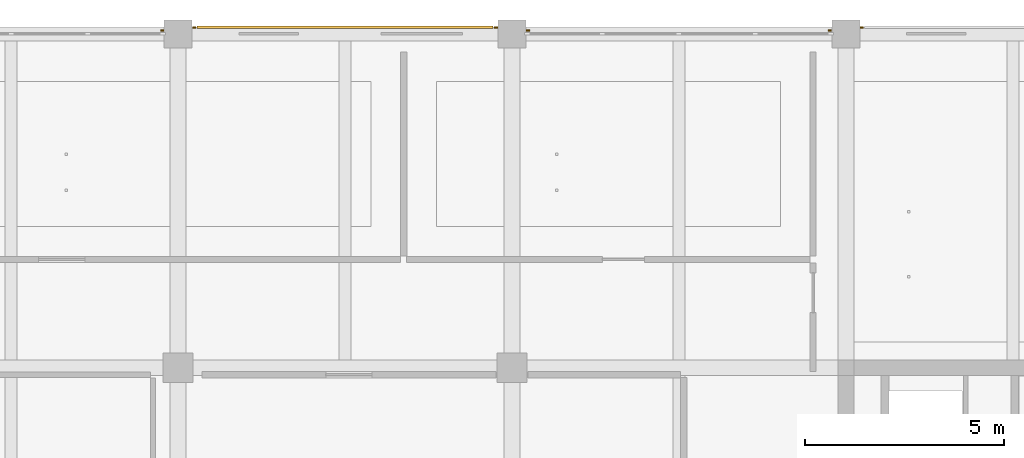
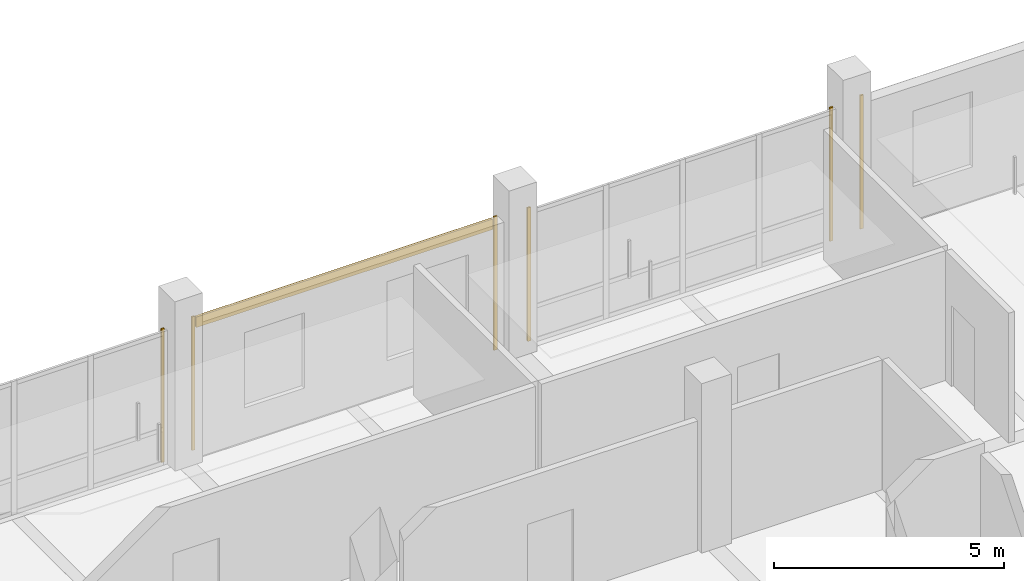
# One storey, part 31 of 32: 7 coverings.
"""IFC4 building model written with IfcOpenShell, lengths in metres."""

import ifcopenshell
import ifcopenshell.guid

model = None  # the IFC model being written
_history = None  # IfcOwnerHistory: only IFC2X3 demands one
_inside = {}  # id of a spatial element -> (the spatial element, [elements in it])
_under = {}  # id of a project, library or spatial element -> (it, [spatial elements below it])
_declared = {}  # id of a project -> (the project, [libraries it declares])
_typed = {}  # id of a type object -> (the type object, [elements of that type])
_made_of = {}  # id of a material, layer set ... -> (it, [elements and type objects made of it])


def new_model(schema):
    """Start an empty IFC model of exactly this schema.

    Asked for "IFC4X3", IfcOpenShell would pick the latest addendum, in which some entities
    have other attributes; the version numbers below select the first issue.
    IFC2X3 requires an IfcOwnerHistory on every rooted entity: one is made here for all.
    """
    global model, _history
    if schema == "IFC4X3":
        model = ifcopenshell.file(schema_version=(4, 3, 0, 0))
    else:
        model = ifcopenshell.file(schema=schema)
    _inside.clear()
    _under.clear()
    _declared.clear()
    _typed.clear()
    _made_of.clear()
    _history = None
    if model.schema == "IFC2X3":
        org = make("IfcOrganization", Name="unknown")
        user = make(
            "IfcPersonAndOrganization",
            ThePerson=make("IfcPerson", FamilyName="unknown"),
            TheOrganization=org,
        )
        app = make(
            "IfcApplication",
            ApplicationDeveloper=org,
            Version="unknown",
            ApplicationFullName="unknown",
            ApplicationIdentifier="unknown",
        )
        _history = make(
            "IfcOwnerHistory",
            OwningUser=user,
            OwningApplication=app,
            ChangeAction="ADDED",
            CreationDate=0,
        )
    return model


def make(cls, **values):
    """One entity of the class cls with the attributes given. An attribute that is None is left unset."""
    return model.create_entity(
        cls, **{name: value for name, value in values.items() if value is not None}
    )


def rooted(cls, **values):
    """An entity with a GlobalId (a new one), such as an element, a storey or a relation."""
    return make(cls, GlobalId=ifcopenshell.guid.new(), OwnerHistory=_history, **values)


def si_unit(unit_type, name, prefix=None):
    """IfcSIUnit, for example si_unit("LENGTHUNIT", "METRE", prefix="MILLI")."""
    return make("IfcSIUnit", UnitType=unit_type, Prefix=prefix, Name=name)


def assignment(units):
    """IfcUnitAssignment: the units of a project."""
    return None if units is None else make("IfcUnitAssignment", Units=units)


def point(xyz):
    """IfcCartesianPoint."""
    return None if xyz is None else make("IfcCartesianPoint", Coordinates=xyz)


def direction(xyz):
    """IfcDirection."""
    return None if xyz is None else make("IfcDirection", DirectionRatios=xyz)


def frame(location, z_axis=None, x_axis=None):
    """IfcAxis2Placement3D, a coordinate frame: its origin and axes. An axis left out is left unset."""
    return make(
        "IfcAxis2Placement3D",
        Location=point(location),
        Axis=direction(z_axis),
        RefDirection=direction(x_axis),
    )


def frame_2d(location, x_axis=None):
    """IfcAxis2Placement2D, a coordinate frame in the plane: its origin and x axis."""
    return make(
        "IfcAxis2Placement2D", Location=point(location), RefDirection=direction(x_axis)
    )


def origin():
    """The frame at (0, 0, 0) with its axes left unset."""
    return frame((0.0, 0.0, 0.0))


def origin_2d():
    """The frame at (0, 0) in the plane with its x axis left unset."""
    return frame_2d((0.0, 0.0))


def place(relative_to, where):
    """IfcLocalPlacement: puts the frame where relative to a parent placement (None: the world)."""
    return make(
        "IfcLocalPlacement", PlacementRelTo=relative_to, RelativePlacement=where
    )


def context(
    kind, dimensions, precision=None, world=None, true_north=None, identifier=None
):
    """IfcGeometricRepresentationContext, for example the 3D "Model" context."""
    return make(
        "IfcGeometricRepresentationContext",
        ContextIdentifier=identifier,
        ContextType=kind,
        CoordinateSpaceDimension=dimensions,
        Precision=precision,
        WorldCoordinateSystem=world,
        TrueNorth=true_north,
    )


def subcontext(parent, identifier, kind, view, scale=None):
    """IfcGeometricRepresentationSubContext, for example "Body" below "Model"."""
    return make(
        "IfcGeometricRepresentationSubContext",
        ContextIdentifier=identifier,
        ContextType=kind,
        ParentContext=parent,
        TargetScale=scale,
        TargetView=view,
    )


def project(units=None, contexts=None):
    """IfcProject with its units and contexts."""
    return rooted(
        "IfcProject",
        Name="project",
        RepresentationContexts=contexts,
        UnitsInContext=assignment(units),
    )


def spatial(cls, under=None, at=None, **own):
    """A site, building, storey or space (cls), placed at a placement, below another one or the project."""
    s = rooted(cls, ObjectPlacement=at, **own)
    if under is not None:
        _under.setdefault(under.id(), (under, []))[1].append(s)
    return s


def profile(cls, at=None, kind="AREA", **sizes):
    """A parametric profile (cls). Its sizes go by their IFC names, for example OverallWidth=200.0."""
    return make(cls, ProfileType=kind, Position=at, **sizes)


def rectangle(**sizes):
    """IfcRectangleProfileDef."""
    return profile("IfcRectangleProfileDef", **sizes)


def extrude(swept, where, along, depth):
    """IfcExtrudedAreaSolid: the profile swept, set in the frame where, extruded along a direction by depth."""
    return make(
        "IfcExtrudedAreaSolid",
        SweptArea=swept,
        Position=where,
        ExtrudedDirection=direction(along),
        Depth=depth,
    )


def shape(context_of_items, identifier, shape_type, items):
    """IfcShapeRepresentation: the items that make up one representation, for example the "Body"."""
    return make(
        "IfcShapeRepresentation",
        ContextOfItems=context_of_items,
        RepresentationIdentifier=identifier,
        RepresentationType=shape_type,
        Items=items,
    )


def material(Name=None, Category=None):
    """IfcMaterial."""
    return make("IfcMaterial", Name=Name, Category=Category)


def layer(
    of_material, thickness, ventilated=None, Name=None, Category=None, Priority=None
):
    """IfcMaterialLayer: one layer of a wall or slab, of a material (None: an air gap)."""
    return make(
        "IfcMaterialLayer",
        Material=of_material,
        LayerThickness=thickness,
        IsVentilated=ventilated,
        Name=Name,
        Category=Category,
        Priority=Priority,
    )


def layer_set(layers, Name=None):
    """IfcMaterialLayerSet."""
    return make("IfcMaterialLayerSet", MaterialLayers=layers, LayerSetName=Name)


def made_of(thing, what):
    """Note that an element or type object is made of a material, layer set ...; save() writes the relation."""
    if what is not None:
        _made_of.setdefault(what.id(), (what, []))[1].append(thing)
    return thing


def type_object(cls, material=None, **own):
    """A type object (cls), such as IfcWallType, which elements share."""
    return made_of(rooted(cls, **own), material)


def element(
    cls,
    number,
    at=None,
    inside=None,
    cuts=None,
    type_object=None,
    material=None,
    context=None,
    identifier="Body",
    shape_type=None,
    held_by="IfcProductDefinitionShape",
    body=None,
    shapes=None,
    **own,
):
    """One element of the class cls, such as IfcWall. Its Tag is "e" and its number.

    at: its placement. inside: the storey or other place that contains it. cuts: it is an
    opening in that element (IfcRelVoidsElement). A single representation is given by context,
    identifier, shape_type and body (its items); several are given by shapes. held_by: the class
    of the entity that holds the representations. save() writes the other relations.
    """
    e = rooted(cls, Tag="e%d" % number, ObjectPlacement=at, **own)
    if body is not None:
        shapes = [shape(context, identifier, shape_type, body)]
    if shapes is not None:
        e.Representation = make(held_by, Representations=shapes)
    if inside is not None:
        _inside.setdefault(inside.id(), (inside, []))[1].append(e)
    if cuts is not None:
        rooted(
            "IfcRelVoidsElement", RelatingBuildingElement=cuts, RelatedOpeningElement=e
        )
    if type_object is not None:
        _typed.setdefault(type_object.id(), (type_object, []))[1].append(e)
    return made_of(e, material)


def aggregate(whole, parts):
    """IfcRelAggregates: a whole, such as a stair, and the parts it consists of."""
    return rooted("IfcRelAggregates", RelatingObject=whole, RelatedObjects=parts)


def save(model, path):
    """Write the relations noted so far, then the file.

    IfcRelAggregates (storeys below a building ...), IfcRelContainedInSpatialStructure (elements
    in a storey), IfcRelDefinesByType, IfcRelAssociatesMaterial and IfcRelDeclares: one each for
    every whole, place, type object, material and project.
    """
    for whole, parts in _under.values():
        aggregate(whole, parts)
    for where, things in _inside.values():
        rooted(
            "IfcRelContainedInSpatialStructure",
            RelatedElements=things,
            RelatingStructure=where,
        )
    for kind, things in _typed.values():
        rooted("IfcRelDefinesByType", RelatedObjects=things, RelatingType=kind)
    for what, things in _made_of.values():
        rooted("IfcRelAssociatesMaterial", RelatedObjects=things, RelatingMaterial=what)
    for by, libraries in _declared.values():
        rooted("IfcRelDeclares", RelatingContext=by, RelatedDefinitions=libraries)
    model.write(path)


model = new_model("IFC4")

# Units and contexts
model_context = context("Model", 3, precision=1e-05, world=origin(), true_north=direction((0.0, 1.0)))
body_context = subcontext(model_context, "Body", "Model", "MODEL_VIEW")
ifc_project = project(units=[si_unit("LENGTHUNIT", "METRE"), si_unit("AREAUNIT", "SQUARE_METRE"), si_unit("VOLUMEUNIT", "CUBIC_METRE"), si_unit("PLANEANGLEUNIT", "RADIAN"), si_unit("MASSUNIT", "GRAM", prefix="KILO")], contexts=[model_context])

# Site, building, storey
site_placement = place(None, origin())
site = spatial("IfcSite", under=ifc_project, at=site_placement, CompositionType="ELEMENT")
building_placement = place(site_placement, origin())
building = spatial("IfcBuilding", under=site, at=building_placement, Name="Telukmera Botanical Conservatory", CompositionType="ELEMENT")
storey_placement = place(building_placement, frame((0.0, 0.0, 42.0)))
storey = spatial("IfcBuildingStorey", under=building, at=storey_placement, Name="L09", CompositionType="ELEMENT", Elevation=42.0)

# Coverings
ifc_material_1 = material(Name="Granite-faced precast concrete C40/50", Category="masonry")
ifc_layer_1 = layer(ifc_material_1, 0.0400390625)
ifc_layer_set_1 = layer_set([ifc_layer_1], Name="Granite-faced precast concrete C40/50")
covering_type_1 = type_object("IfcCoveringType", Name="Granite Precast Column Pier Reveal Casing", PredefinedType="CLADDING", material=ifc_layer_set_1)
for number, where, z_axis, x_axis, name in (
    (1, (75.197998046875, 42.889892578125, 0.0), (0.0, 0.0, 1.0), (1.0, 0.0, 0.0), "Granite Pier Reveal V4:L09:N3 R"),
    (2, (76.001953125, 42.9599609375, 0.0), (0.0, 0.0, 1.0), (1.0, 0.0, 0.0), "Granite Pier Reveal V4:L09:N4 L"),
    (3, (83.597900390625, 42.9599609375, 0.0), (0.0, 0.0, 1.0), (1.0, 0.0, 0.0), "Granite Pier Reveal V4:L09:N4 R"),
    (4, (84.402099609375, 42.889892578125, 0.0), (0.0, 0.0, 1.0), (1.0, 0.0, 0.0), "Granite Pier Reveal V4:L09:N5 L"),
    (5, (91.998046875, 42.889892578125, 0.0), (0.0, 0.0, 1.0), (1.0, 0.0, 0.0), "Granite Pier Reveal V4:L09:N5 R"),
    (6, (92.802001953125, 42.9599609375, 0.0), (0.0, 0.0, 1.0), (1.0, 0.0, 0.0), "Granite Pier Reveal V4:L09:N6 L"),
):
    element("IfcCovering", number, at=place(storey_placement, frame(where, z_axis=z_axis, x_axis=x_axis)), inside=storey, type_object=covering_type_1, Name=name, PredefinedType="CLADDING", context=body_context, shape_type="SweptSolid", body=[
        extrude(rectangle(XDim=0.080078125, YDim=0.0400390625, at=origin_2d()), origin(), (0.0, 0.0, 1.0), 3.550048828125),
    ])
ifc_material_2 = material(Name="Terracotta-faced precast concrete C40/50", Category="masonry")
ifc_layer_2 = layer(ifc_material_2, 0.06005859375)
ifc_layer_set_2 = layer_set([ifc_layer_2], Name="Terracotta-faced precast concrete C40/50")
covering_type_2 = type_object("IfcCoveringType", Name="Polychrome Terracotta Facade Band Cladding", PredefinedType="CLADDING", material=ifc_layer_set_2)
covering_placement = place(storey_placement, frame((79.800048828125, 42.969970703125, 3.22998046875), z_axis=(0.0, 0.0, 1.0), x_axis=(1.0, 0.0, 0.0)))
element("IfcCovering", 7, at=covering_placement, inside=storey, type_object=covering_type_2, Name="Polychrome Terracotta Band V4:L09:N4", PredefinedType="CLADDING", context=body_context, shape_type="SweptSolid", body=[
    extrude(rectangle(XDim=7.4560546875, YDim=0.06005859375, at=origin_2d()), origin(), (0.0, 0.0, 1.0), 0.280029296875),
])

save(model, "model.ifc")
